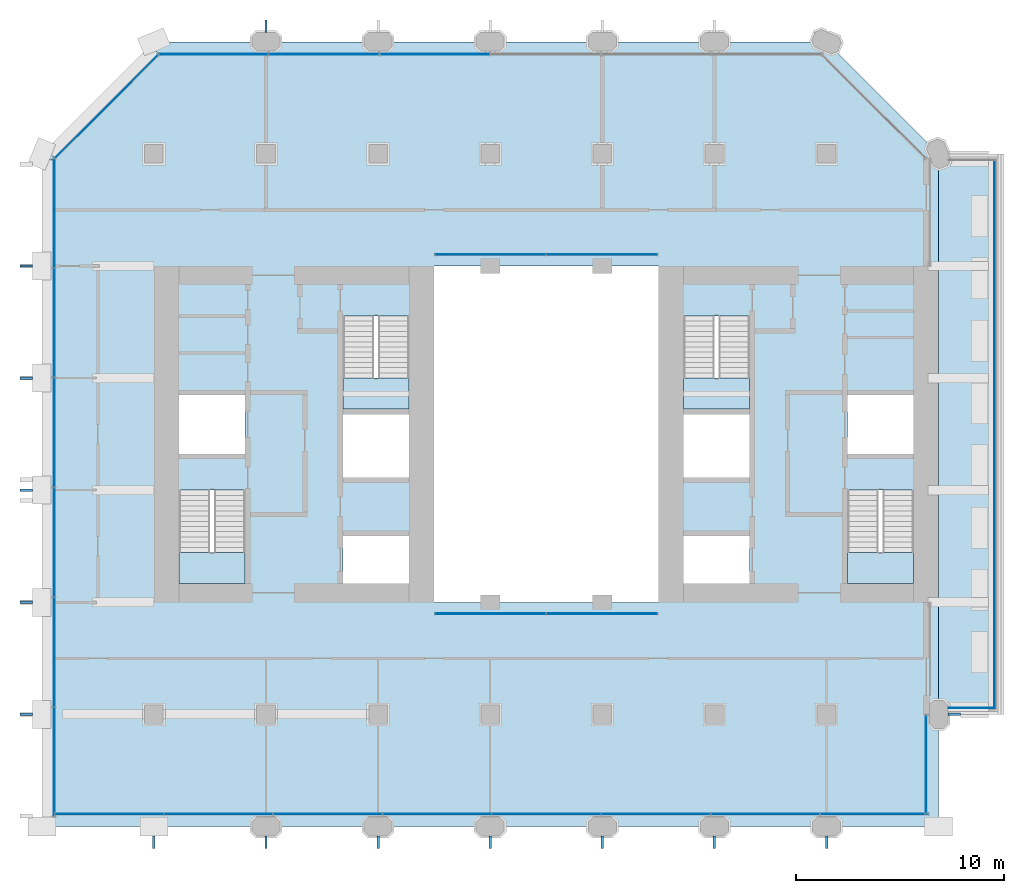
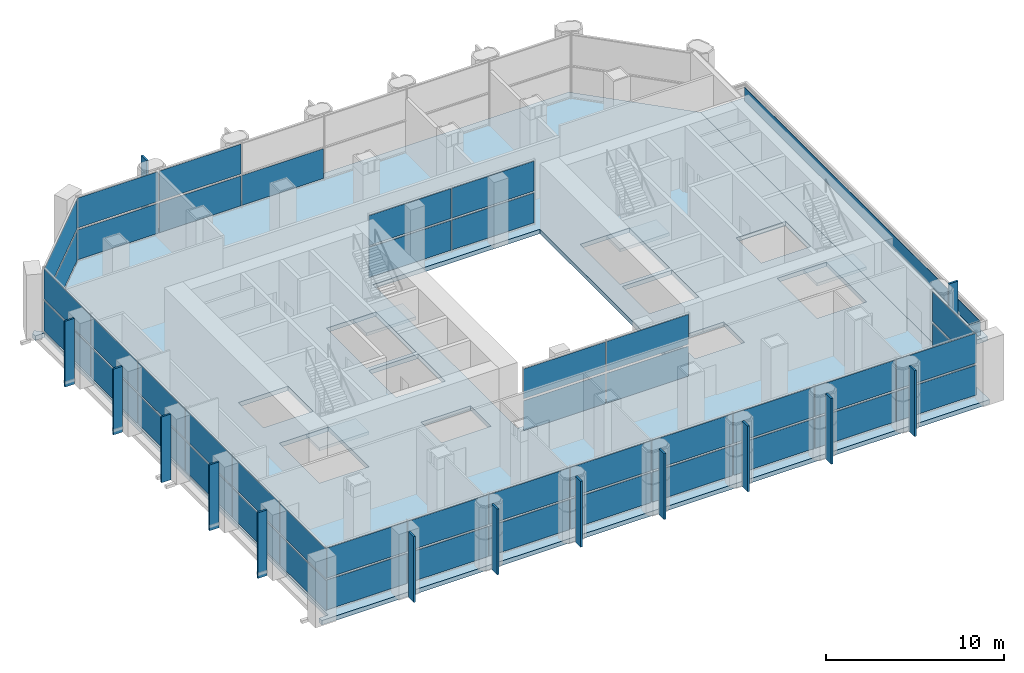
# One storey, part 9 of 15: 61 plates, 6 slabs, 11 elements without a shape of their own.
"""IFC4 building model written with IfcOpenShell, lengths in metres."""

from ifc_helpers import new_model, si_unit, direction, frame, frame_2d, origin, origin_2d, place, context, subcontext, project, spatial, polyline, rectangle, outline, extrude, material, layer, layer_set, type_object, element, aggregate, save


model = new_model("IFC4")

# Units and contexts
model_context = context("Model", 3, precision=1e-05, world=origin(), true_north=direction((0.0, 1.0)))
body_context = subcontext(model_context, "Body", "Model", "MODEL_VIEW")
ifc_project = project(units=[si_unit("LENGTHUNIT", "METRE"), si_unit("AREAUNIT", "SQUARE_METRE"), si_unit("VOLUMEUNIT", "CUBIC_METRE"), si_unit("PLANEANGLEUNIT", "RADIAN"), si_unit("MASSUNIT", "GRAM", prefix="KILO")], contexts=[model_context])

# Site, building, storey
site_placement = place(None, origin())
site = spatial("IfcSite", under=ifc_project, at=site_placement, CompositionType="ELEMENT")
building_placement = place(site_placement, origin())
building = spatial("IfcBuilding", under=site, at=building_placement, Name="Tabaq Tower and Sports Hall", CompositionType="ELEMENT")
storey_placement = place(building_placement, frame((0.0, 0.0, 143.199951171875)))
storey = spatial("IfcBuildingStorey", under=building, at=storey_placement, Name="L33", CompositionType="ELEMENT", Elevation=143.199951171875)

# Curtain wall, plates
ifc_material_1 = material(Name="Aluminium alloy 6063-T6 framed glazing", Category="aluminium")
curtain_wall_type_1 = type_object("IfcCurtainWallType", Name="CW1 curtain wall", PredefinedType="USERDEFINED", material=ifc_material_1)
curtain_wall_1_placement = place(storey_placement, origin())
curtain_wall_1 = element("IfcCurtainWall", 1, at=curtain_wall_1_placement, inside=storey, type_object=curtain_wall_type_1, Name="Atrium glazing L33 S", ObjectType="ATRIUM ENCLOSURE", PredefinedType="USERDEFINED")
ifc_material_2 = material(Name="Clear low-emissivity glass 28 mm", Category="glass")
ifc_layer_1 = layer(ifc_material_2, 0.028076171875)
ifc_layer_set_1 = layer_set([ifc_layer_1], Name="CW1 glass panel 28")
plate_type_1 = type_object("IfcPlateType", Name="CW1 glass panel 28", PredefinedType="CURTAIN_PANEL", material=ifc_layer_set_1)
plate_1_placement = place(storey_placement, frame((21.614990234375, 15.64990234375, 0.14013671875), z_axis=(0.0, 0.0, 1.0), x_axis=(1.0, 0.0, 0.0)))
plate_1 = element("IfcPlate", 2, at=plate_1_placement, type_object=plate_type_1, Name="CW1 panel 1.1", PredefinedType="CURTAIN_PANEL", context=body_context, shape_type="SweptSolid", body=[
    extrude(rectangle(XDim=5.31005859375, YDim=0.028076171875, at=origin_2d()), origin(), (0.0, 0.0, 1.0), 2.0400390625),
])
plate_2_placement = place(storey_placement, frame((21.614990234375, 15.64990234375, 2.320068359375), z_axis=(0.0, 0.0, 1.0), x_axis=(1.0, 0.0, 0.0)))
plate_2 = element("IfcPlate", 3, at=plate_2_placement, type_object=plate_type_1, Name="CW1 panel 1.2", PredefinedType="CURTAIN_PANEL", context=body_context, shape_type="SweptSolid", body=[
    extrude(rectangle(XDim=5.31005859375, YDim=0.028076171875, at=origin_2d()), origin(), (0.0, 0.0, 1.0), 2.0400390625),
])
plate_3_placement = place(storey_placement, frame((26.985107421875, 15.64990234375, 0.14013671875), z_axis=(0.0, 0.0, 1.0), x_axis=(1.0, 0.0, 0.0)))
plate_3 = element("IfcPlate", 4, at=plate_3_placement, type_object=plate_type_1, Name="CW1 panel 2.1", PredefinedType="CURTAIN_PANEL", context=body_context, shape_type="SweptSolid", body=[
    extrude(rectangle(XDim=5.31005859375, YDim=0.028076171875, at=origin_2d()), origin(), (0.0, 0.0, 1.0), 2.0400390625),
])
plate_4_placement = place(storey_placement, frame((26.985107421875, 15.64990234375, 2.320068359375), z_axis=(0.0, 0.0, 1.0), x_axis=(1.0, 0.0, 0.0)))
plate_4 = element("IfcPlate", 5, at=plate_4_placement, type_object=plate_type_1, Name="CW1 panel 2.2", PredefinedType="CURTAIN_PANEL", context=body_context, shape_type="SweptSolid", body=[
    extrude(rectangle(XDim=5.31005859375, YDim=0.028076171875, at=origin_2d()), origin(), (0.0, 0.0, 1.0), 2.0400390625),
])
aggregate(curtain_wall_1, [plate_1, plate_2, plate_3, plate_4])

curtain_wall_2_placement = place(storey_placement, origin())
curtain_wall_2 = element("IfcCurtainWall", 6, at=curtain_wall_2_placement, inside=storey, type_object=curtain_wall_type_1, Name="Atrium glazing L33 N", ObjectType="ATRIUM ENCLOSURE", PredefinedType="USERDEFINED")
plate_5_placement = place(storey_placement, frame((21.614990234375, 32.949951171875, 0.14013671875), z_axis=(0.0, 0.0, 1.0), x_axis=(1.0, 0.0, 0.0)))
plate_5 = element("IfcPlate", 7, at=plate_5_placement, type_object=plate_type_1, Name="CW1 panel 1.1", PredefinedType="CURTAIN_PANEL", context=body_context, shape_type="SweptSolid", body=[
    extrude(rectangle(XDim=5.31005859375, YDim=0.028076171875, at=origin_2d()), origin(), (0.0, 0.0, 1.0), 2.0400390625),
])
plate_6_placement = place(storey_placement, frame((21.614990234375, 32.949951171875, 2.320068359375), z_axis=(0.0, 0.0, 1.0), x_axis=(1.0, 0.0, 0.0)))
plate_6 = element("IfcPlate", 8, at=plate_6_placement, type_object=plate_type_1, Name="CW1 panel 1.2", PredefinedType="CURTAIN_PANEL", context=body_context, shape_type="SweptSolid", body=[
    extrude(rectangle(XDim=5.31005859375, YDim=0.028076171875, at=origin_2d()), origin(), (0.0, 0.0, 1.0), 2.0400390625),
])
plate_7_placement = place(storey_placement, frame((26.985107421875, 32.949951171875, 0.14013671875), z_axis=(0.0, 0.0, 1.0), x_axis=(1.0, 0.0, 0.0)))
plate_7 = element("IfcPlate", 9, at=plate_7_placement, type_object=plate_type_1, Name="CW1 panel 2.1", PredefinedType="CURTAIN_PANEL", context=body_context, shape_type="SweptSolid", body=[
    extrude(rectangle(XDim=5.31005859375, YDim=0.028076171875, at=origin_2d()), origin(), (0.0, 0.0, 1.0), 2.0400390625),
])
plate_8_placement = place(storey_placement, frame((26.985107421875, 32.949951171875, 2.320068359375), z_axis=(0.0, 0.0, 1.0), x_axis=(1.0, 0.0, 0.0)))
plate_8 = element("IfcPlate", 10, at=plate_8_placement, type_object=plate_type_1, Name="CW1 panel 2.2", PredefinedType="CURTAIN_PANEL", context=body_context, shape_type="SweptSolid", body=[
    extrude(rectangle(XDim=5.31005859375, YDim=0.028076171875, at=origin_2d()), origin(), (0.0, 0.0, 1.0), 2.0400390625),
])
aggregate(curtain_wall_2, [plate_5, plate_6, plate_7, plate_8])

ifc_material_3 = material(Name="Aluminium alloy 6063-T6 framed glazing", Category="aluminium")
curtain_wall_type_2 = type_object("IfcCurtainWallType", Name="CW3 curtain wall", PredefinedType="USERDEFINED", material=ifc_material_3)
curtain_wall_3_placement = place(storey_placement, origin())
curtain_wall_3 = element("IfcCurtainWall", 11, at=curtain_wall_3_placement, inside=storey, type_object=curtain_wall_type_2, Name="Garden Floor Wall L33 S", ObjectType="GARDEN FLOOR WALL", PredefinedType="USERDEFINED")
ifc_material_4 = material(Name="Clear low-emissivity glass 28 mm", Category="glass")
ifc_layer_2 = layer(ifc_material_4, 0.028076171875)
ifc_layer_set_2 = layer_set([ifc_layer_2], Name="CW3 glass panel 28")
plate_type_2 = type_object("IfcPlateType", Name="CW3 glass panel 28", PredefinedType="CURTAIN_PANEL", material=ifc_layer_set_2)
plate_9_placement = place(storey_placement, frame((3.249267578125, 6.0, 0.14013671875), z_axis=(0.0, 0.0, 1.0), x_axis=(1.0, 0.0, 0.0)))
plate_9 = element("IfcPlate", 12, at=plate_9_placement, type_object=plate_type_2, Name="CW3 panel 1.1", PredefinedType="CURTAIN_PANEL", context=body_context, shape_type="SweptSolid", body=[
    extrude(rectangle(XDim=5.1787109375, YDim=0.028076171875, at=origin_2d()), origin(), (0.0, 0.0, 1.0), 2.0400390625),
])
plate_10_placement = place(storey_placement, frame((3.249267578125, 6.0, 2.320068359375), z_axis=(0.0, 0.0, 1.0), x_axis=(1.0, 0.0, 0.0)))
plate_10 = element("IfcPlate", 13, at=plate_10_placement, type_object=plate_type_2, Name="CW3 panel 1.2", PredefinedType="CURTAIN_PANEL", context=body_context, shape_type="SweptSolid", body=[
    extrude(rectangle(XDim=5.1787109375, YDim=0.028076171875, at=origin_2d()), origin(), (0.0, 0.0, 1.0), 2.0400390625),
])
plate_11_placement = place(storey_placement, frame((8.503173828125, 6.0, 0.14013671875), z_axis=(0.0, 0.0, 1.0), x_axis=(1.0, 0.0, 0.0)))
plate_11 = element("IfcPlate", 14, at=plate_11_placement, type_object=plate_type_2, Name="CW3 panel 2.1", PredefinedType="CURTAIN_PANEL", context=body_context, shape_type="SweptSolid", body=[
    extrude(rectangle(XDim=5.208740234375, YDim=0.028076171875, at=origin_2d()), origin(), (0.0, 0.0, 1.0), 2.0400390625),
])
plate_12_placement = place(storey_placement, frame((8.503173828125, 6.0, 2.320068359375), z_axis=(0.0, 0.0, 1.0), x_axis=(1.0, 0.0, 0.0)))
plate_12 = element("IfcPlate", 15, at=plate_12_placement, type_object=plate_type_2, Name="CW3 panel 2.2", PredefinedType="CURTAIN_PANEL", context=body_context, shape_type="SweptSolid", body=[
    extrude(rectangle(XDim=5.208740234375, YDim=0.028076171875, at=origin_2d()), origin(), (0.0, 0.0, 1.0), 2.0400390625),
])
plate_13_placement = place(storey_placement, frame((13.77197265625, 6.0, 0.14013671875), z_axis=(0.0, 0.0, 1.0), x_axis=(1.0, 0.0, 0.0)))
plate_13 = element("IfcPlate", 16, at=plate_13_placement, type_object=plate_type_2, Name="CW3 panel 3.1", PredefinedType="CURTAIN_PANEL", context=body_context, shape_type="SweptSolid", body=[
    extrude(rectangle(XDim=5.208740234375, YDim=0.028076171875, at=origin_2d()), origin(), (0.0, 0.0, 1.0), 2.0400390625),
])
plate_14_placement = place(storey_placement, frame((13.77197265625, 6.0, 2.320068359375), z_axis=(0.0, 0.0, 1.0), x_axis=(1.0, 0.0, 0.0)))
plate_14 = element("IfcPlate", 17, at=plate_14_placement, type_object=plate_type_2, Name="CW3 panel 3.2", PredefinedType="CURTAIN_PANEL", context=body_context, shape_type="SweptSolid", body=[
    extrude(rectangle(XDim=5.208740234375, YDim=0.028076171875, at=origin_2d()), origin(), (0.0, 0.0, 1.0), 2.0400390625),
])
plate_15_placement = place(storey_placement, frame((19.04052734375, 6.0, 0.14013671875), z_axis=(0.0, 0.0, 1.0), x_axis=(1.0, 0.0, 0.0)))
plate_15 = element("IfcPlate", 18, at=plate_15_placement, type_object=plate_type_2, Name="CW3 panel 4.1", PredefinedType="CURTAIN_PANEL", context=body_context, shape_type="SweptSolid", body=[
    extrude(rectangle(XDim=5.208740234375, YDim=0.028076171875, at=origin_2d()), origin(), (0.0, 0.0, 1.0), 2.0400390625),
])
plate_16_placement = place(storey_placement, frame((19.04052734375, 6.0, 2.320068359375), z_axis=(0.0, 0.0, 1.0), x_axis=(1.0, 0.0, 0.0)))
plate_16 = element("IfcPlate", 19, at=plate_16_placement, type_object=plate_type_2, Name="CW3 panel 4.2", PredefinedType="CURTAIN_PANEL", context=body_context, shape_type="SweptSolid", body=[
    extrude(rectangle(XDim=5.208740234375, YDim=0.028076171875, at=origin_2d()), origin(), (0.0, 0.0, 1.0), 2.0400390625),
])
plate_17_placement = place(storey_placement, frame((24.309326171875, 6.0, 0.14013671875), z_axis=(0.0, 0.0, 1.0), x_axis=(1.0, 0.0, 0.0)))
plate_17 = element("IfcPlate", 20, at=plate_17_placement, type_object=plate_type_2, Name="CW3 panel 5.1", PredefinedType="CURTAIN_PANEL", context=body_context, shape_type="SweptSolid", body=[
    extrude(rectangle(XDim=5.208740234375, YDim=0.028076171875, at=origin_2d()), origin(), (0.0, 0.0, 1.0), 2.0400390625),
])
plate_18_placement = place(storey_placement, frame((24.309326171875, 6.0, 2.320068359375), z_axis=(0.0, 0.0, 1.0), x_axis=(1.0, 0.0, 0.0)))
plate_18 = element("IfcPlate", 21, at=plate_18_placement, type_object=plate_type_2, Name="CW3 panel 5.2", PredefinedType="CURTAIN_PANEL", context=body_context, shape_type="SweptSolid", body=[
    extrude(rectangle(XDim=5.208740234375, YDim=0.028076171875, at=origin_2d()), origin(), (0.0, 0.0, 1.0), 2.0400390625),
])
plate_19_placement = place(storey_placement, frame((29.578125, 6.0, 0.14013671875), z_axis=(0.0, 0.0, 1.0), x_axis=(1.0, 0.0, 0.0)))
plate_19 = element("IfcPlate", 22, at=plate_19_placement, type_object=plate_type_2, Name="CW3 panel 6.1", PredefinedType="CURTAIN_PANEL", context=body_context, shape_type="SweptSolid", body=[
    extrude(rectangle(XDim=5.208740234375, YDim=0.028076171875, at=origin_2d()), origin(), (0.0, 0.0, 1.0), 2.0400390625),
])
plate_20_placement = place(storey_placement, frame((29.578125, 6.0, 2.320068359375), z_axis=(0.0, 0.0, 1.0), x_axis=(1.0, 0.0, 0.0)))
plate_20 = element("IfcPlate", 23, at=plate_20_placement, type_object=plate_type_2, Name="CW3 panel 6.2", PredefinedType="CURTAIN_PANEL", context=body_context, shape_type="SweptSolid", body=[
    extrude(rectangle(XDim=5.208740234375, YDim=0.028076171875, at=origin_2d()), origin(), (0.0, 0.0, 1.0), 2.0400390625),
])
plate_21_placement = place(storey_placement, frame((34.846923828125, 6.0, 0.14013671875), z_axis=(0.0, 0.0, 1.0), x_axis=(1.0, 0.0, 0.0)))
plate_21 = element("IfcPlate", 24, at=plate_21_placement, type_object=plate_type_2, Name="CW3 panel 7.1", PredefinedType="CURTAIN_PANEL", context=body_context, shape_type="SweptSolid", body=[
    extrude(rectangle(XDim=5.208740234375, YDim=0.028076171875, at=origin_2d()), origin(), (0.0, 0.0, 1.0), 2.0400390625),
])
plate_22_placement = place(storey_placement, frame((34.846923828125, 6.0, 2.320068359375), z_axis=(0.0, 0.0, 1.0), x_axis=(1.0, 0.0, 0.0)))
plate_22 = element("IfcPlate", 25, at=plate_22_placement, type_object=plate_type_2, Name="CW3 panel 7.2", PredefinedType="CURTAIN_PANEL", context=body_context, shape_type="SweptSolid", body=[
    extrude(rectangle(XDim=5.208740234375, YDim=0.028076171875, at=origin_2d()), origin(), (0.0, 0.0, 1.0), 2.0400390625),
])
plate_23_placement = place(storey_placement, frame((40.1005859375, 6.0, 0.14013671875), z_axis=(0.0, 0.0, 1.0), x_axis=(1.0, 0.0, 0.0)))
plate_23 = element("IfcPlate", 26, at=plate_23_placement, type_object=plate_type_2, Name="CW3 panel 8.1", PredefinedType="CURTAIN_PANEL", context=body_context, shape_type="SweptSolid", body=[
    extrude(rectangle(XDim=5.1787109375, YDim=0.028076171875, at=origin_2d()), origin(), (0.0, 0.0, 1.0), 2.0400390625),
])
plate_24_placement = place(storey_placement, frame((40.1005859375, 6.0, 2.320068359375), z_axis=(0.0, 0.0, 1.0), x_axis=(1.0, 0.0, 0.0)))
plate_24 = element("IfcPlate", 27, at=plate_24_placement, type_object=plate_type_2, Name="CW3 panel 8.2", PredefinedType="CURTAIN_PANEL", context=body_context, shape_type="SweptSolid", body=[
    extrude(rectangle(XDim=5.1787109375, YDim=0.028076171875, at=origin_2d()), origin(), (0.0, 0.0, 1.0), 2.0400390625),
])
aggregate(curtain_wall_3, [plate_9, plate_10, plate_11, plate_12, plate_13, plate_14, plate_15, plate_16, plate_17, plate_18, plate_19, plate_20, plate_21, plate_22, plate_23, plate_24])

curtain_wall_4_placement = place(storey_placement, origin())
curtain_wall_4 = element("IfcCurtainWall", 28, at=curtain_wall_4_placement, inside=storey, type_object=curtain_wall_type_2, Name="Garden Floor Wall L33 E", ObjectType="GARDEN FLOOR WALL", PredefinedType="USERDEFINED")
plate_25_placement = place(storey_placement, frame((42.60009765625, 8.39990234375, 0.14013671875), z_axis=(0.0, 0.0, 1.0), x_axis=(0.0, 1.0, 0.0)))
plate_25 = element("IfcPlate", 29, at=plate_25_placement, type_object=plate_type_2, Name="CW3 panel 1.1", PredefinedType="CURTAIN_PANEL", context=body_context, shape_type="SweptSolid", body=[
    extrude(rectangle(XDim=4.679931640625, YDim=0.028076171875, at=origin_2d()), origin(), (0.0, 0.0, 1.0), 2.0400390625),
])
plate_26_placement = place(storey_placement, frame((42.60009765625, 8.39990234375, 2.320068359375), z_axis=(0.0, 0.0, 1.0), x_axis=(0.0, 1.0, 0.0)))
plate_26 = element("IfcPlate", 30, at=plate_26_placement, type_object=plate_type_2, Name="CW3 panel 1.2", PredefinedType="CURTAIN_PANEL", context=body_context, shape_type="SweptSolid", body=[
    extrude(rectangle(XDim=4.679931640625, YDim=0.028076171875, at=origin_2d()), origin(), (0.0, 0.0, 1.0), 2.0400390625),
])
aggregate(curtain_wall_4, [plate_25, plate_26])

curtain_wall_5_placement = place(storey_placement, origin())
curtain_wall_5 = element("IfcCurtainWall", 31, at=curtain_wall_5_placement, inside=storey, type_object=curtain_wall_type_2, Name="Garden Floor Wall L33 N", ObjectType="GARDEN FLOOR WALL", PredefinedType="USERDEFINED")
plate_27_placement = place(storey_placement, frame((18.93115234375, 42.60009765625, 0.14013671875), z_axis=(0.0, 0.0, 1.0), x_axis=(-1.0, 0.0, 0.0)))
plate_27 = element("IfcPlate", 32, at=plate_27_placement, type_object=plate_type_2, Name="CW3 panel 4.1", PredefinedType="CURTAIN_PANEL", context=body_context, shape_type="SweptSolid", body=[
    extrude(rectangle(XDim=5.27783203125, YDim=0.028076171875, at=origin_2d()), origin(), (0.0, 0.0, 1.0), 2.0400390625),
])
plate_28_placement = place(storey_placement, frame((13.59326171875, 42.60009765625, 0.14013671875), z_axis=(0.0, 0.0, 1.0), x_axis=(-1.0, 0.0, 0.0)))
plate_28 = element("IfcPlate", 33, at=plate_28_placement, type_object=plate_type_2, Name="CW3 panel 5.1", PredefinedType="CURTAIN_PANEL", context=body_context, shape_type="SweptSolid", body=[
    extrude(rectangle(XDim=5.27783203125, YDim=0.028076171875, at=origin_2d()), origin(), (0.0, 0.0, 1.0), 2.0400390625),
])
plate_29_placement = place(storey_placement, frame((13.59326171875, 42.60009765625, 2.320068359375), z_axis=(0.0, 0.0, 1.0), x_axis=(-1.0, 0.0, 0.0)))
plate_29 = element("IfcPlate", 34, at=plate_29_placement, type_object=plate_type_2, Name="CW3 panel 5.2", PredefinedType="CURTAIN_PANEL", context=body_context, shape_type="SweptSolid", body=[
    extrude(rectangle(XDim=5.27783203125, YDim=0.028076171875, at=origin_2d()), origin(), (0.0, 0.0, 1.0), 2.0400390625),
])
plate_30_placement = place(storey_placement, frame((8.270263671875, 42.60009765625, 0.14013671875), z_axis=(0.0, 0.0, 1.0), x_axis=(-1.0, 0.0, 0.0)))
plate_30 = element("IfcPlate", 35, at=plate_30_placement, type_object=plate_type_2, Name="CW3 panel 6.1", PredefinedType="CURTAIN_PANEL", context=body_context, shape_type="SweptSolid", body=[
    extrude(rectangle(XDim=5.247802734375, YDim=0.028076171875, at=origin_2d()), origin(), (0.0, 0.0, 1.0), 2.0400390625),
])
plate_31_placement = place(storey_placement, frame((8.270263671875, 42.60009765625, 2.320068359375), z_axis=(0.0, 0.0, 1.0), x_axis=(-1.0, 0.0, 0.0)))
plate_31 = element("IfcPlate", 36, at=plate_31_placement, type_object=plate_type_2, Name="CW3 panel 6.2", PredefinedType="CURTAIN_PANEL", context=body_context, shape_type="SweptSolid", body=[
    extrude(rectangle(XDim=5.247802734375, YDim=0.028076171875, at=origin_2d()), origin(), (0.0, 0.0, 1.0), 2.0400390625),
])
aggregate(curtain_wall_5, [plate_27, plate_28, plate_29, plate_30, plate_31])

curtain_wall_6_placement = place(storey_placement, origin())
curtain_wall_6 = element("IfcCurtainWall", 37, at=curtain_wall_6_placement, inside=storey, type_object=curtain_wall_type_2, Name="Garden Floor Wall L33 NW", ObjectType="GARDEN FLOOR WALL", PredefinedType="USERDEFINED")
plate_32_placement = place(storey_placement, frame((3.124267578125, 40.07568359375, 0.14013671875), z_axis=(0.0, 0.0, 1.0), x_axis=(-0.707106781187, -0.707106781187, 0.0)))
plate_32 = element("IfcPlate", 38, at=plate_32_placement, type_object=plate_type_2, Name="CW3 panel 1.1", PredefinedType="CURTAIN_PANEL", context=body_context, shape_type="SweptSolid", body=[
    extrude(rectangle(XDim=7.019775390625, YDim=0.028076171875, at=origin_2d()), origin(), (0.0, 0.0, 1.0), 2.0400390625),
])
plate_33_placement = place(storey_placement, frame((3.124267578125, 40.07568359375, 2.320068359375), z_axis=(0.0, 0.0, 1.0), x_axis=(-0.707106781187, -0.707106781187, 0.0)))
plate_33 = element("IfcPlate", 39, at=plate_33_placement, type_object=plate_type_2, Name="CW3 panel 1.2", PredefinedType="CURTAIN_PANEL", context=body_context, shape_type="SweptSolid", body=[
    extrude(rectangle(XDim=7.019775390625, YDim=0.028076171875, at=origin_2d()), origin(), (0.0, 0.0, 1.0), 2.0400390625),
])
aggregate(curtain_wall_6, [plate_32, plate_33])

curtain_wall_7_placement = place(storey_placement, origin())
curtain_wall_7 = element("IfcCurtainWall", 40, at=curtain_wall_7_placement, inside=storey, type_object=curtain_wall_type_2, Name="Garden Floor Wall L33 W", ObjectType="GARDEN FLOOR WALL", PredefinedType="USERDEFINED")
plate_34_placement = place(storey_placement, frame((0.60009765625, 34.95166015625, 0.14013671875), z_axis=(0.0, 0.0, 1.0), x_axis=(0.0, -1.0, 0.0)))
plate_34 = element("IfcPlate", 41, at=plate_34_placement, type_object=plate_type_2, Name="CW3 panel 1.1", PredefinedType="CURTAIN_PANEL", context=body_context, shape_type="SweptSolid", body=[
    extrude(rectangle(XDim=5.203857421875, YDim=0.028076171875, at=origin_2d()), origin(), (0.0, 0.0, 1.0), 2.0400390625),
])
plate_35_placement = place(storey_placement, frame((0.60009765625, 34.95166015625, 2.320068359375), z_axis=(0.0, 0.0, 1.0), x_axis=(0.0, -1.0, 0.0)))
plate_35 = element("IfcPlate", 42, at=plate_35_placement, type_object=plate_type_2, Name="CW3 panel 1.2", PredefinedType="CURTAIN_PANEL", context=body_context, shape_type="SweptSolid", body=[
    extrude(rectangle(XDim=5.203857421875, YDim=0.028076171875, at=origin_2d()), origin(), (0.0, 0.0, 1.0), 2.0400390625),
])
plate_36_placement = place(storey_placement, frame((0.60009765625, 29.672607421875, 0.14013671875), z_axis=(0.0, 0.0, 1.0), x_axis=(0.0, -1.0, 0.0)))
plate_36 = element("IfcPlate", 43, at=plate_36_placement, type_object=plate_type_2, Name="CW3 panel 2.1", PredefinedType="CURTAIN_PANEL", context=body_context, shape_type="SweptSolid", body=[
    extrude(rectangle(XDim=5.23388671875, YDim=0.028076171875, at=origin_2d()), origin(), (0.0, 0.0, 1.0), 2.0400390625),
])
plate_37_placement = place(storey_placement, frame((0.60009765625, 29.672607421875, 2.320068359375), z_axis=(0.0, 0.0, 1.0), x_axis=(0.0, -1.0, 0.0)))
plate_37 = element("IfcPlate", 44, at=plate_37_placement, type_object=plate_type_2, Name="CW3 panel 2.2", PredefinedType="CURTAIN_PANEL", context=body_context, shape_type="SweptSolid", body=[
    extrude(rectangle(XDim=5.23388671875, YDim=0.028076171875, at=origin_2d()), origin(), (0.0, 0.0, 1.0), 2.0400390625),
])
plate_38_placement = place(storey_placement, frame((0.60009765625, 24.378662109375, 0.14013671875), z_axis=(0.0, 0.0, 1.0), x_axis=(0.0, -1.0, 0.0)))
plate_38 = element("IfcPlate", 45, at=plate_38_placement, type_object=plate_type_2, Name="CW3 panel 3.1", PredefinedType="CURTAIN_PANEL", context=body_context, shape_type="SweptSolid", body=[
    extrude(rectangle(XDim=5.23388671875, YDim=0.028076171875, at=origin_2d()), origin(), (0.0, 0.0, 1.0), 2.0400390625),
])
plate_39_placement = place(storey_placement, frame((0.60009765625, 24.378662109375, 2.320068359375), z_axis=(0.0, 0.0, 1.0), x_axis=(0.0, -1.0, 0.0)))
plate_39 = element("IfcPlate", 46, at=plate_39_placement, type_object=plate_type_2, Name="CW3 panel 3.2", PredefinedType="CURTAIN_PANEL", context=body_context, shape_type="SweptSolid", body=[
    extrude(rectangle(XDim=5.23388671875, YDim=0.028076171875, at=origin_2d()), origin(), (0.0, 0.0, 1.0), 2.0400390625),
])
plate_40_placement = place(storey_placement, frame((0.60009765625, 19.084716796875, 0.14013671875), z_axis=(0.0, 0.0, 1.0), x_axis=(0.0, -1.0, 0.0)))
plate_40 = element("IfcPlate", 47, at=plate_40_placement, type_object=plate_type_2, Name="CW3 panel 4.1", PredefinedType="CURTAIN_PANEL", context=body_context, shape_type="SweptSolid", body=[
    extrude(rectangle(XDim=5.23388671875, YDim=0.028076171875, at=origin_2d()), origin(), (0.0, 0.0, 1.0), 2.0400390625),
])
plate_41_placement = place(storey_placement, frame((0.60009765625, 19.084716796875, 2.320068359375), z_axis=(0.0, 0.0, 1.0), x_axis=(0.0, -1.0, 0.0)))
plate_41 = element("IfcPlate", 48, at=plate_41_placement, type_object=plate_type_2, Name="CW3 panel 4.2", PredefinedType="CURTAIN_PANEL", context=body_context, shape_type="SweptSolid", body=[
    extrude(rectangle(XDim=5.23388671875, YDim=0.028076171875, at=origin_2d()), origin(), (0.0, 0.0, 1.0), 2.0400390625),
])
plate_42_placement = place(storey_placement, frame((0.60009765625, 13.791015625, 0.14013671875), z_axis=(0.0, 0.0, 1.0), x_axis=(0.0, -1.0, 0.0)))
plate_42 = element("IfcPlate", 49, at=plate_42_placement, type_object=plate_type_2, Name="CW3 panel 5.1", PredefinedType="CURTAIN_PANEL", context=body_context, shape_type="SweptSolid", body=[
    extrude(rectangle(XDim=5.23388671875, YDim=0.028076171875, at=origin_2d()), origin(), (0.0, 0.0, 1.0), 2.0400390625),
])
plate_43_placement = place(storey_placement, frame((0.60009765625, 13.791015625, 2.320068359375), z_axis=(0.0, 0.0, 1.0), x_axis=(0.0, -1.0, 0.0)))
plate_43 = element("IfcPlate", 50, at=plate_43_placement, type_object=plate_type_2, Name="CW3 panel 5.2", PredefinedType="CURTAIN_PANEL", context=body_context, shape_type="SweptSolid", body=[
    extrude(rectangle(XDim=5.23388671875, YDim=0.028076171875, at=origin_2d()), origin(), (0.0, 0.0, 1.0), 2.0400390625),
])
plate_44_placement = place(storey_placement, frame((0.60009765625, 8.511962890625, 0.14013671875), z_axis=(0.0, 0.0, 1.0), x_axis=(0.0, -1.0, 0.0)))
plate_44 = element("IfcPlate", 51, at=plate_44_placement, type_object=plate_type_2, Name="CW3 panel 6.1", PredefinedType="CURTAIN_PANEL", context=body_context, shape_type="SweptSolid", body=[
    extrude(rectangle(XDim=5.203857421875, YDim=0.028076171875, at=origin_2d()), origin(), (0.0, 0.0, 1.0), 2.0400390625),
])
plate_45_placement = place(storey_placement, frame((0.60009765625, 8.511962890625, 2.320068359375), z_axis=(0.0, 0.0, 1.0), x_axis=(0.0, -1.0, 0.0)))
plate_45 = element("IfcPlate", 52, at=plate_45_placement, type_object=plate_type_2, Name="CW3 panel 6.2", PredefinedType="CURTAIN_PANEL", context=body_context, shape_type="SweptSolid", body=[
    extrude(rectangle(XDim=5.203857421875, YDim=0.028076171875, at=origin_2d()), origin(), (0.0, 0.0, 1.0), 2.0400390625),
])
aggregate(curtain_wall_7, [plate_34, plate_35, plate_36, plate_37, plate_38, plate_39, plate_40, plate_41, plate_42, plate_43, plate_44, plate_45])

# Slab
ifc_material_5 = material(Name="Concrete C40/50", Category="concrete")
ifc_layer_3 = layer(ifc_material_5, 0.300048828125)
ifc_layer_set_3 = layer_set([ifc_layer_3], Name="Concrete C40/50 PT tray slab 300")
slab_type_1 = type_object("IfcSlabType", Name="Concrete C40/50 PT tray slab 300", PredefinedType="FLOOR", material=ifc_layer_set_3)
slab_1_placement = place(storey_placement, frame((0.0, 0.0, -0.300048828125)))
element("IfcSlab", 53, at=slab_1_placement, inside=storey, type_object=slab_type_1, Name="Tray slab L33", PredefinedType="FLOOR", context=body_context, shape_type="SweptSolid", body=[
    extrude(outline(polyline([(43.199951171875, 10.800048828125), (43.199951171875, 37.800048828125), (46.199951171875, 37.800048828125), (46.199951171875, 10.800048828125), (43.199951171875, 10.800048828125)])), origin(), (0.0, 0.0, 1.0), 0.300048828125),
])

# Stair, slab
ifc_material_6 = material(Name="Concrete C40/50", Category="concrete")
stair_type = type_object("IfcStairType", Name="Exit stair", PredefinedType="HALF_TURN_STAIR", material=ifc_material_6)
stair_1_placement = place(storey_placement, origin())
stair_1 = element("IfcStair", 54, at=stair_1_placement, inside=storey, type_object=stair_type, Name="L33 Exit stair ST1", PredefinedType="HALF_TURN_STAIR")
ifc_material_7 = material(Name="Concrete C40/50", Category="concrete")
ifc_layer_4 = layer(ifc_material_7, 0.199951171875)
ifc_layer_set_4 = layer_set([ifc_layer_4], Name="Exit stair landing")
slab_type_2 = type_object("IfcSlabType", Name="Exit stair landing", PredefinedType="LANDING", material=ifc_layer_set_4)
slab_2_placement = place(storey_placement, frame((0.0, 0.0, 2.199951171875)))
slab_2 = element("IfcSlab", 55, at=slab_2_placement, type_object=slab_type_2, Name="ST1 landing 1", PredefinedType="LANDING", context=body_context, shape_type="SweptSolid", body=[
    extrude(outline(polyline([(6.60009765625, 18.60009765625), (6.60009765625, 17.10009765625), (9.800048828125, 17.10009765625), (9.800048828125, 18.60009765625), (6.60009765625, 18.60009765625)])), origin(), (0.0, 0.0, 1.0), 0.2001953125),
])
aggregate(stair_1, [slab_2])

stair_2_placement = place(storey_placement, origin())
stair_2 = element("IfcStair", 56, at=stair_2_placement, inside=storey, type_object=stair_type, Name="L33 Exit stair ST2", PredefinedType="HALF_TURN_STAIR")
slab_3_placement = place(storey_placement, frame((0.0, 0.0, 2.199951171875)))
slab_3 = element("IfcSlab", 57, at=slab_3_placement, type_object=slab_type_2, Name="ST2 landing 1", PredefinedType="LANDING", context=body_context, shape_type="SweptSolid", body=[
    extrude(outline(polyline([(14.5, 27.0), (14.5, 25.5), (17.699951171875, 25.5), (17.699951171875, 27.0), (14.5, 27.0)])), origin(), (0.0, 0.0, 1.0), 0.2001953125),
])
aggregate(stair_2, [slab_3])

stair_3_placement = place(storey_placement, origin())
stair_3 = element("IfcStair", 58, at=stair_3_placement, inside=storey, type_object=stair_type, Name="L33 Exit stair ST3", PredefinedType="HALF_TURN_STAIR")
slab_4_placement = place(storey_placement, frame((0.0, 0.0, 2.199951171875)))
slab_4 = element("IfcSlab", 59, at=slab_4_placement, type_object=slab_type_2, Name="ST3 landing 1", PredefinedType="LANDING", context=body_context, shape_type="SweptSolid", body=[
    extrude(outline(polyline([(38.800048828125, 18.60009765625), (38.800048828125, 17.10009765625), (42.0, 17.10009765625), (42.0, 18.60009765625), (38.800048828125, 18.60009765625)])), origin(), (0.0, 0.0, 1.0), 0.2001953125),
])
aggregate(stair_3, [slab_4])

stair_4_placement = place(storey_placement, origin())
stair_4 = element("IfcStair", 60, at=stair_4_placement, inside=storey, type_object=stair_type, Name="L33 Exit stair ST4", PredefinedType="HALF_TURN_STAIR")
slab_5_placement = place(storey_placement, frame((0.0, 0.0, 2.199951171875)))
slab_5 = element("IfcSlab", 61, at=slab_5_placement, type_object=slab_type_2, Name="ST4 landing 1", PredefinedType="LANDING", context=body_context, shape_type="SweptSolid", body=[
    extrude(outline(polyline([(30.89990234375, 27.0), (30.89990234375, 25.5), (34.10009765625, 25.5), (34.10009765625, 27.0), (30.89990234375, 27.0)])), origin(), (0.0, 0.0, 1.0), 0.2001953125),
])
aggregate(stair_4, [slab_5])

# Plates
ifc_material_8 = material(Name="Clear low-emissivity glass 28 mm", Category="glass")
ifc_layer_5 = layer(ifc_material_8, 0.02001953125)
ifc_layer_set_5 = layer_set([ifc_layer_5], Name="Laminated glass tray guard panel 20")
plate_type_3 = type_object("IfcPlateType", Name="Laminated glass tray guard panel 20", PredefinedType="USERDEFINED", material=ifc_layer_set_5)
plate_46_placement = place(storey_placement, frame((43.699951171875, 11.10009765625, 0.0), z_axis=(0.0, 0.0, 1.0), x_axis=(1.0, 0.0, 0.0)))
element("IfcPlate", 62, at=plate_46_placement, inside=storey, type_object=plate_type_3, Name="Tray guard glass L33", ObjectType="GUARD GLASS", PredefinedType="USERDEFINED", context=body_context, shape_type="SweptSolid", body=[
    extrude(rectangle(XDim=2.199951171875, YDim=0.02001953125, at=frame_2d((1.10009765625, 0.0))), origin(), (0.0, 0.0, 1.0), 0.949951171875),
])
plate_47_placement = place(storey_placement, frame((45.89990234375, 11.10009765625, 0.0), z_axis=(0.0, 0.0, 1.0), x_axis=(0.0, 1.0, 0.0)))
element("IfcPlate", 63, at=plate_47_placement, inside=storey, type_object=plate_type_3, Name="Tray guard glass L33", ObjectType="GUARD GLASS", PredefinedType="USERDEFINED", context=body_context, shape_type="SweptSolid", body=[
    extrude(rectangle(XDim=26.39990234375, YDim=0.02001953125, at=frame_2d((13.199951171875, 0.0))), origin(), (0.0, 0.0, 1.0), 0.949951171875),
])

# Slab
ifc_material_9 = material(Name="Concrete C40/50", Category="concrete")
ifc_layer_6 = layer(ifc_material_9, 0.300048828125)
ifc_layer_set_6 = layer_set([ifc_layer_6], Name="PT FLOOR SLAB 300 C40/50")
slab_type_3 = type_object("IfcSlabType", Name="PT FLOOR SLAB 300 C40/50", PredefinedType="FLOOR", material=ifc_layer_set_6)
slab_6_placement = place(storey_placement, frame((0.0, 0.0, -0.300048828125)))
element("IfcSlab", 64, at=slab_6_placement, inside=storey, type_object=slab_type_3, Name="Floor Slab L33", PredefinedType="FLOOR", context=body_context, shape_type="SweptSolid", body=[
    extrude(outline(polyline([(37.800048828125, 43.199951171875), (5.39990234375, 43.199951171875), (5.22314453125, 43.023193359375), (5.57666015625, 42.669677734375), (5.6474609375, 42.598876953125), (0.63525390625, 37.5869140625), (0.211181640625, 38.010986328125), (0.0, 37.800048828125), (0.0, 37.50146484375), (0.5, 37.50146484375), (0.60009765625, 37.50146484375), (0.60009765625, 5.68994140625), (0.5, 5.68994140625), (0.0, 5.68994140625), (0.0, 5.39990234375), (43.199951171875, 5.39990234375), (43.199951171875, 37.800048828125), (37.800048828125, 43.199951171875)]), holes=[polyline([(14.5, 19.39990234375), (17.699951171875, 19.39990234375), (17.699951171875, 17.10009765625), (14.5, 17.10009765625), (14.5, 19.39990234375)]), polyline([(6.60009765625, 21.599365234375), (9.800048828125, 21.599365234375), (9.800048828125, 17.10009765625), (6.60009765625, 17.10009765625), (6.60009765625, 21.599365234375)]), polyline([(14.5, 25.25), (17.699951171875, 25.25), (17.699951171875, 22.199951171875), (14.5, 22.199951171875), (14.5, 25.25)]), polyline([(18.89990234375, 32.39990234375), (29.699951171875, 32.39990234375), (29.699951171875, 16.199951171875), (18.89990234375, 16.199951171875), (18.89990234375, 32.39990234375)]), polyline([(9.800048828125, 26.175048828125), (9.800048828125, 23.35009765625), (6.60009765625, 23.35009765625), (6.60009765625, 26.175048828125), (9.800048828125, 26.175048828125)]), polyline([(14.5, 29.99951171875), (17.699951171875, 29.99951171875), (17.699951171875, 25.5), (14.5, 25.5), (14.5, 29.99951171875)]), polyline([(34.10009765625, 19.39990234375), (34.10009765625, 17.10009765625), (30.89990234375, 17.10009765625), (30.89990234375, 19.39990234375), (34.10009765625, 19.39990234375)]), polyline([(42.0, 21.599365234375), (42.0, 17.10009765625), (38.800048828125, 17.10009765625), (38.800048828125, 21.599365234375), (42.0, 21.599365234375)]), polyline([(30.89990234375, 25.25), (34.10009765625, 25.25), (34.10009765625, 22.199951171875), (30.89990234375, 22.199951171875), (30.89990234375, 25.25)]), polyline([(42.0, 26.175048828125), (42.0, 23.35009765625), (38.800048828125, 23.35009765625), (38.800048828125, 26.175048828125), (42.0, 26.175048828125)]), polyline([(34.10009765625, 29.99951171875), (34.10009765625, 25.5), (30.89990234375, 25.5), (30.89990234375, 29.99951171875), (34.10009765625, 29.99951171875)])]), origin(), (0.0, 0.0, 1.0), 0.300048828125),
])

# Plates
ifc_material_10 = material(Name="White precast concrete C60/75 fin", Category="concrete")
ifc_layer_7 = layer(ifc_material_10, 0.1201171875)
ifc_layer_set_7 = layer_set([ifc_layer_7], Name="White precast concrete C60/75 fin 120")
plate_type_4 = type_object("IfcPlateType", Name="White precast concrete C60/75 fin 120", PredefinedType="USERDEFINED", material=ifc_layer_set_7)
for number, where, z_axis, x_axis, name in (
    (65, (5.39990234375, 4.64990234375, 0.0), (0.0, 0.0, 1.0), (1.0, 0.0, 0.0), "Fin L33 S"),
    (66, (10.800048828125, 4.64990234375, 0.0), (0.0, 0.0, 1.0), (1.0, 0.0, 0.0), "Fin L33 S"),
    (67, (16.199951171875, 4.64990234375, 0.0), (0.0, 0.0, 1.0), (1.0, 0.0, 0.0), "Fin L33 S"),
    (68, (21.60009765625, 4.64990234375, 0.0), (0.0, 0.0, 1.0), (1.0, 0.0, 0.0), "Fin L33 S"),
    (69, (27.0, 4.64990234375, 0.0), (0.0, 0.0, 1.0), (1.0, 0.0, 0.0), "Fin L33 S"),
    (70, (32.39990234375, 4.64990234375, 0.0), (0.0, 0.0, 1.0), (1.0, 0.0, 0.0), "Fin L33 S"),
    (71, (37.800048828125, 4.64990234375, 0.0), (0.0, 0.0, 1.0), (1.0, 0.0, 0.0), "Fin L33 S"),
    (72, (43.949951171875, 10.800048828125, 0.0), (0.0, 0.0, 1.0), (0.0, 1.0, 0.0), "Fin L33 E"),
    (73, (10.800048828125, 43.949951171875, 0.0), (0.0, 0.0, 1.0), (-1.0, 0.0, 0.0), "Fin L33 N"),
    (74, (-0.75, 32.39990234375, 0.0), (0.0, 0.0, 1.0), (0.0, -1.0, 0.0), "Fin L33 W"),
    (75, (-0.75, 27.0, 0.0), (0.0, 0.0, 1.0), (0.0, -1.0, 0.0), "Fin L33 W"),
    (76, (-0.75, 21.60009765625, 0.0), (0.0, 0.0, 1.0), (0.0, -1.0, 0.0), "Fin L33 W"),
    (77, (-0.75, 16.199951171875, 0.0), (0.0, 0.0, 1.0), (0.0, -1.0, 0.0), "Fin L33 W"),
    (78, (-0.75, 10.800048828125, 0.0), (0.0, 0.0, 1.0), (0.0, -1.0, 0.0), "Fin L33 W"),
):
    element("IfcPlate", number, at=place(storey_placement, frame(where, z_axis=z_axis, x_axis=x_axis)), inside=storey, type_object=plate_type_4, Name=name, ObjectType="FIN", PredefinedType="USERDEFINED", context=body_context, shape_type="SweptSolid", body=[
        extrude(rectangle(XDim=0.1201171875, YDim=0.60009765625, at=origin_2d()), origin(), (0.0, 0.0, 1.0), 4.5),
    ])

save(model, "model.ifc")
